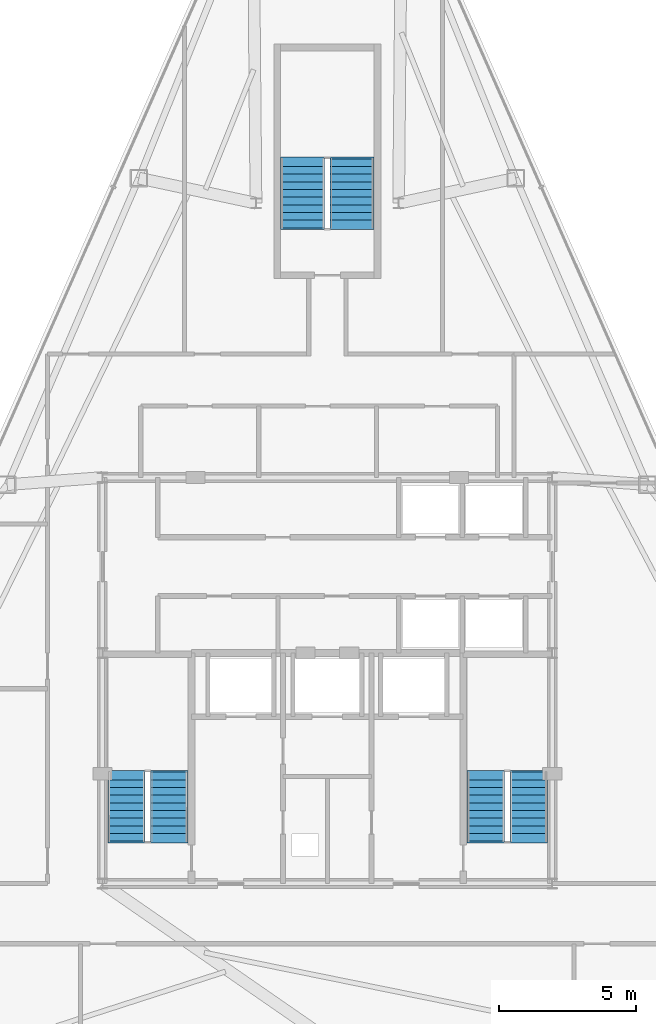
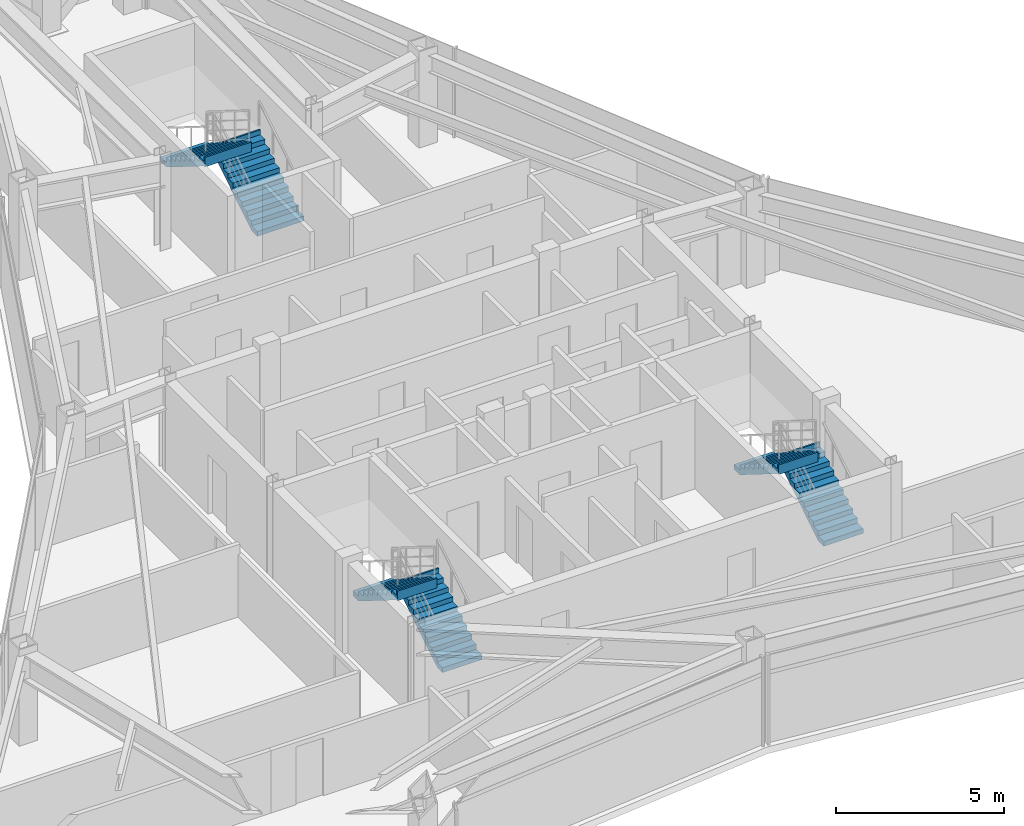
# One storey, part 11 of 12: 6 stair flights, 3 elements without a shape of their own.
"""IFC4 building model written with IfcOpenShell, lengths in metres."""

from ifc_helpers import new_model, si_unit, direction, frame, origin, place, context, subcontext, project, spatial, polyline, outline, extrude, material, type_object, element, aggregate, save


model = new_model("IFC4")

# Units and contexts
model_context = context("Model", 3, precision=1e-05, world=origin(), true_north=direction((0.0, 1.0)))
body_context = subcontext(model_context, "Body", "Model", "MODEL_VIEW")
ifc_project = project(units=[si_unit("LENGTHUNIT", "METRE"), si_unit("AREAUNIT", "SQUARE_METRE"), si_unit("VOLUMEUNIT", "CUBIC_METRE"), si_unit("PLANEANGLEUNIT", "RADIAN"), si_unit("MASSUNIT", "GRAM", prefix="KILO")], contexts=[model_context])

# Site, building, storey
site_placement = place(None, origin())
site = spatial("IfcSite", under=ifc_project, at=site_placement, CompositionType="ELEMENT")
building_placement = place(site_placement, origin())
building = spatial("IfcBuilding", under=site, at=building_placement, Name="Varakhsha Concourse Tower", CompositionType="ELEMENT")
storey_placement = place(building_placement, frame((0.0, 0.0, 272.5)))
storey = spatial("IfcBuildingStorey", under=building, at=storey_placement, Name="L77", CompositionType="ELEMENT", Elevation=272.5)

# Stair, stair flights
ifc_material = material(Name="Concrete fc 45 MPa", Category="concrete")
stair_type_1 = type_object("IfcStairType", Name="ST-DOGLEG-1360", PredefinedType="HALF_TURN_STAIR", material=ifc_material)
stair_1_placement = place(storey_placement, origin())
stair_1 = element("IfcStair", 1, at=stair_1_placement, inside=storey, type_object=stair_type_1, Name="L77 Protected Exit Stair ST1", PredefinedType="HALF_TURN_STAIR")
stair_flight_type_1 = type_object("IfcStairFlightType", Name="STF-1360-R1750", PredefinedType="STRAIGHT", material=ifc_material)
stair_flight_1_placement = place(storey_placement, frame((34.239990234375, 17.93994140625, 0.0), z_axis=(0.0, 0.0, 1.0), x_axis=(0.0, 1.0, 0.0)))
stair_flight_1 = element("IfcStairFlight", 2, at=stair_flight_1_placement, type_object=stair_flight_type_1, Name="ST1 flight 1", NumberOfRisers=10, NumberOfTreads=9, PredefinedType="STRAIGHT", RiserHeight=0.175, TreadLength=0.28, context=body_context, shape_type="SweptSolid", body=[
    extrude(outline(polyline([(-0.06005859375, 0.0), (-0.06005859375, 0.175048828125), (0.0, 0.175048828125), (0.280029296875, 0.175048828125), (0.280029296875, 0.35009765625), (0.56005859375, 0.35009765625), (0.56005859375, 0.52490234375), (0.840087890625, 0.52490234375), (0.840087890625, 0.699951171875), (1.1201171875, 0.699951171875), (1.1201171875, 0.875), (1.39990234375, 0.875), (1.39990234375, 1.050048828125), (1.679931640625, 1.050048828125), (1.679931640625, 1.22509765625), (1.9599609375, 1.22509765625), (1.9599609375, 1.39990234375), (2.239990234375, 1.39990234375), (2.239990234375, 1.574951171875), (2.52001953125, 1.574951171875), (2.52001953125, 1.75), (2.580078125, 1.75), (2.580078125, 1.398193359375), (2.52001953125, 1.398193359375), (0.28271484375, 0.0), (-0.06005859375, 0.0)])), frame((0.0, 0.68017578125, 0.0), z_axis=(0.0, -1.0, 0.0), x_axis=(1.0, 0.0, 0.0)), (0.0, 0.0, 1.0), 1.360107421875),
])
stair_flight_2_placement = place(storey_placement, frame((32.679931640625, 20.4599609375, 1.75), z_axis=(0.0, 0.0, 1.0), x_axis=(0.0, -1.0, 0.0)))
stair_flight_2 = element("IfcStairFlight", 3, at=stair_flight_2_placement, type_object=stair_flight_type_1, Name="ST1 flight 2", NumberOfRisers=10, NumberOfTreads=9, PredefinedType="STRAIGHT", RiserHeight=0.175, TreadLength=0.28, context=body_context, shape_type="SweptSolid", body=[
    extrude(outline(polyline([(-0.06005859375, 0.0), (-0.06005859375, 0.175048828125), (0.0, 0.175048828125), (0.280029296875, 0.175048828125), (0.280029296875, 0.35009765625), (0.56005859375, 0.35009765625), (0.56005859375, 0.52490234375), (0.840087890625, 0.52490234375), (0.840087890625, 0.699951171875), (1.1201171875, 0.699951171875), (1.1201171875, 0.875), (1.39990234375, 0.875), (1.39990234375, 1.050048828125), (1.679931640625, 1.050048828125), (1.679931640625, 1.22509765625), (1.9599609375, 1.22509765625), (1.9599609375, 1.39990234375), (2.239990234375, 1.39990234375), (2.239990234375, 1.574951171875), (2.52001953125, 1.574951171875), (2.52001953125, 1.75), (2.580078125, 1.75), (2.580078125, 1.398193359375), (2.52001953125, 1.398193359375), (0.28271484375, 0.0), (-0.06005859375, 0.0)])), frame((0.0, 0.68017578125, 0.0), z_axis=(0.0, -1.0, 0.0), x_axis=(1.0, 0.0, 0.0)), (0.0, 0.0, 1.0), 1.360107421875),
])
aggregate(stair_1, [stair_flight_1, stair_flight_2])

stair_2_placement = place(storey_placement, origin())
stair_2 = element("IfcStair", 4, at=stair_2_placement, inside=storey, type_object=stair_type_1, Name="L77 Protected Exit Stair ST2", PredefinedType="HALF_TURN_STAIR")
stair_flight_3_placement = place(storey_placement, frame((47.340087890625, 17.93994140625, 0.0), z_axis=(0.0, 0.0, 1.0), x_axis=(0.0, 1.0, 0.0)))
stair_flight_3 = element("IfcStairFlight", 5, at=stair_flight_3_placement, type_object=stair_flight_type_1, Name="ST2 flight 1", NumberOfRisers=10, NumberOfTreads=9, PredefinedType="STRAIGHT", RiserHeight=0.175, TreadLength=0.28, context=body_context, shape_type="SweptSolid", body=[
    extrude(outline(polyline([(-0.06005859375, 0.0), (-0.06005859375, 0.175048828125), (0.0, 0.175048828125), (0.280029296875, 0.175048828125), (0.280029296875, 0.35009765625), (0.56005859375, 0.35009765625), (0.56005859375, 0.52490234375), (0.840087890625, 0.52490234375), (0.840087890625, 0.699951171875), (1.1201171875, 0.699951171875), (1.1201171875, 0.875), (1.39990234375, 0.875), (1.39990234375, 1.050048828125), (1.679931640625, 1.050048828125), (1.679931640625, 1.22509765625), (1.9599609375, 1.22509765625), (1.9599609375, 1.39990234375), (2.239990234375, 1.39990234375), (2.239990234375, 1.574951171875), (2.52001953125, 1.574951171875), (2.52001953125, 1.75), (2.580078125, 1.75), (2.580078125, 1.398193359375), (2.52001953125, 1.398193359375), (0.28271484375, 0.0), (-0.06005859375, 0.0)])), frame((0.0, 0.68017578125, 0.0), z_axis=(0.0, -1.0, 0.0), x_axis=(1.0, 0.0, 0.0)), (0.0, 0.0, 1.0), 1.360107421875),
])
stair_flight_4_placement = place(storey_placement, frame((45.780029296875, 20.4599609375, 1.75), z_axis=(0.0, 0.0, 1.0), x_axis=(0.0, -1.0, 0.0)))
stair_flight_4 = element("IfcStairFlight", 6, at=stair_flight_4_placement, type_object=stair_flight_type_1, Name="ST2 flight 2", NumberOfRisers=10, NumberOfTreads=9, PredefinedType="STRAIGHT", RiserHeight=0.175, TreadLength=0.28, context=body_context, shape_type="SweptSolid", body=[
    extrude(outline(polyline([(-0.06005859375, 0.0), (-0.06005859375, 0.175048828125), (0.0, 0.175048828125), (0.280029296875, 0.175048828125), (0.280029296875, 0.35009765625), (0.56005859375, 0.35009765625), (0.56005859375, 0.52490234375), (0.840087890625, 0.52490234375), (0.840087890625, 0.699951171875), (1.1201171875, 0.699951171875), (1.1201171875, 0.875), (1.39990234375, 0.875), (1.39990234375, 1.050048828125), (1.679931640625, 1.050048828125), (1.679931640625, 1.22509765625), (1.9599609375, 1.22509765625), (1.9599609375, 1.39990234375), (2.239990234375, 1.39990234375), (2.239990234375, 1.574951171875), (2.52001953125, 1.574951171875), (2.52001953125, 1.75), (2.580078125, 1.75), (2.580078125, 1.398193359375), (2.52001953125, 1.398193359375), (0.28271484375, 0.0), (-0.06005859375, 0.0)])), frame((0.0, 0.68017578125, 0.0), z_axis=(0.0, -1.0, 0.0), x_axis=(1.0, 0.0, 0.0)), (0.0, 0.0, 1.0), 1.360107421875),
])
aggregate(stair_2, [stair_flight_3, stair_flight_4])

stair_type_2 = type_object("IfcStairType", Name="ST-DOGLEG-1600", PredefinedType="HALF_TURN_STAIR", material=ifc_material)
stair_3_placement = place(storey_placement, origin())
stair_3 = element("IfcStair", 7, at=stair_3_placement, inside=storey, type_object=stair_type_2, Name="L77 Protected Exit Stair ST5", PredefinedType="HALF_TURN_STAIR")
stair_flight_type_2 = type_object("IfcStairFlightType", Name="STF-1600-R1750", PredefinedType="STRAIGHT", material=ifc_material)
stair_flight_5_placement = place(storey_placement, frame((40.89990234375, 40.300048828125, 0.0), z_axis=(0.0, 0.0, 1.0), x_axis=(0.0, 1.0, 0.0)))
stair_flight_5 = element("IfcStairFlight", 8, at=stair_flight_5_placement, type_object=stair_flight_type_2, Name="ST5 flight 1", NumberOfRisers=10, NumberOfTreads=9, PredefinedType="STRAIGHT", RiserHeight=0.175, TreadLength=0.28, context=body_context, shape_type="SweptSolid", body=[
    extrude(outline(polyline([(-0.06005859375, 0.0), (-0.06005859375, 0.175048828125), (0.0, 0.175048828125), (0.280029296875, 0.175048828125), (0.280029296875, 0.35009765625), (0.56005859375, 0.35009765625), (0.56005859375, 0.52490234375), (0.840087890625, 0.52490234375), (0.840087890625, 0.699951171875), (1.1201171875, 0.699951171875), (1.1201171875, 0.875), (1.39990234375, 0.875), (1.39990234375, 1.050048828125), (1.679931640625, 1.050048828125), (1.679931640625, 1.22509765625), (1.9599609375, 1.22509765625), (1.9599609375, 1.39990234375), (2.239990234375, 1.39990234375), (2.239990234375, 1.574951171875), (2.52001953125, 1.574951171875), (2.52001953125, 1.75), (2.580078125, 1.75), (2.580078125, 1.398193359375), (2.52001953125, 1.398193359375), (0.28271484375, 0.0), (-0.06005859375, 0.0)])), frame((0.0, 0.800048828125, 0.0), z_axis=(0.0, -1.0, 0.0), x_axis=(1.0, 0.0, 0.0)), (0.0, 0.0, 1.0), 1.60009765625),
])
stair_flight_6_placement = place(storey_placement, frame((39.10009765625, 42.820068359375, 1.75), z_axis=(0.0, 0.0, 1.0), x_axis=(0.0, -1.0, 0.0)))
stair_flight_6 = element("IfcStairFlight", 9, at=stair_flight_6_placement, type_object=stair_flight_type_2, Name="ST5 flight 2", NumberOfRisers=10, NumberOfTreads=9, PredefinedType="STRAIGHT", RiserHeight=0.175, TreadLength=0.28, context=body_context, shape_type="SweptSolid", body=[
    extrude(outline(polyline([(-0.06005859375, 0.0), (-0.06005859375, 0.175048828125), (0.0, 0.175048828125), (0.280029296875, 0.175048828125), (0.280029296875, 0.35009765625), (0.56005859375, 0.35009765625), (0.56005859375, 0.52490234375), (0.840087890625, 0.52490234375), (0.840087890625, 0.699951171875), (1.1201171875, 0.699951171875), (1.1201171875, 0.875), (1.39990234375, 0.875), (1.39990234375, 1.050048828125), (1.679931640625, 1.050048828125), (1.679931640625, 1.22509765625), (1.9599609375, 1.22509765625), (1.9599609375, 1.39990234375), (2.239990234375, 1.39990234375), (2.239990234375, 1.574951171875), (2.52001953125, 1.574951171875), (2.52001953125, 1.75), (2.580078125, 1.75), (2.580078125, 1.398193359375), (2.52001953125, 1.398193359375), (0.28271484375, 0.0), (-0.06005859375, 0.0)])), frame((0.0, 0.800048828125, 0.0), z_axis=(0.0, -1.0, 0.0), x_axis=(1.0, 0.0, 0.0)), (0.0, 0.0, 1.0), 1.60009765625),
])
aggregate(stair_3, [stair_flight_5, stair_flight_6])

save(model, "model.ifc")
